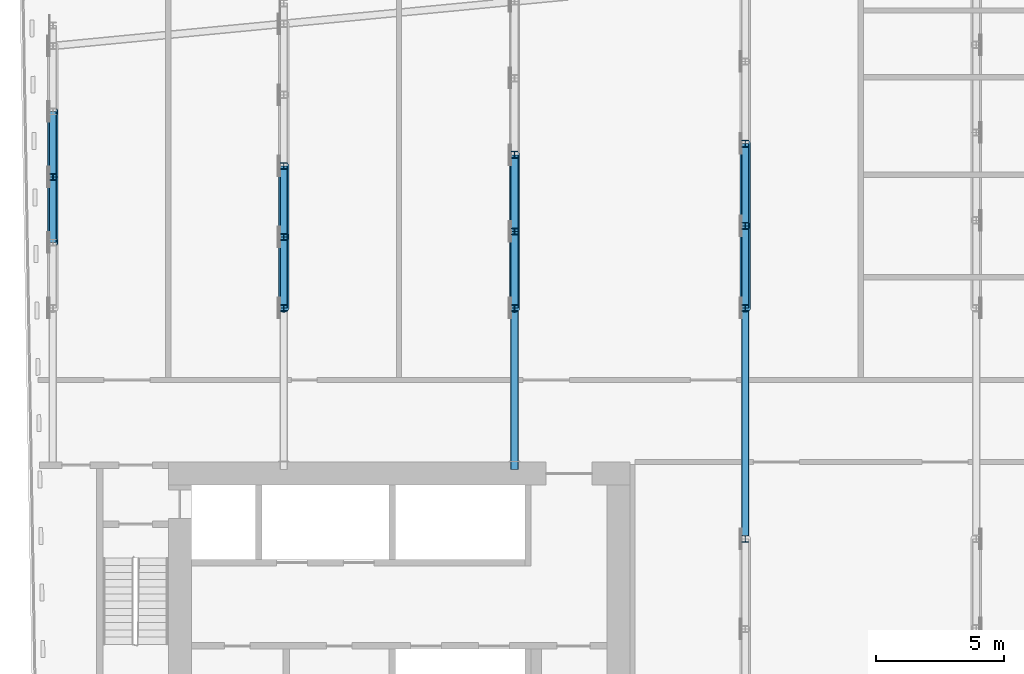
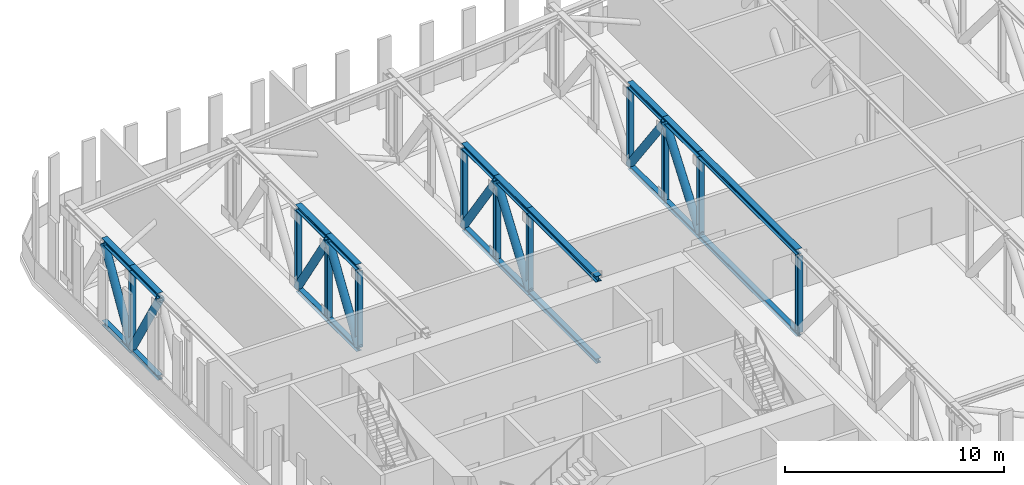
# One storey, part 2 of 26: 39 members.
"""IFC4 building model written with IfcOpenShell, lengths in metres."""

from ifc_helpers import new_model, si_unit, direction, frame, origin, origin_2d, place, context, subcontext, project, spatial, hollow_circle, i_section, extrude, material, material_profile, profile_set, type_object, element, save


model = new_model("IFC4")

# Units and contexts
model_context = context("Model", 3, precision=1e-05, world=origin(), true_north=direction((0.0, 1.0)))
body_context = subcontext(model_context, "Body", "Model", "MODEL_VIEW")
ifc_project = project(units=[si_unit("LENGTHUNIT", "METRE"), si_unit("AREAUNIT", "SQUARE_METRE"), si_unit("VOLUMEUNIT", "CUBIC_METRE"), si_unit("PLANEANGLEUNIT", "RADIAN"), si_unit("MASSUNIT", "GRAM", prefix="KILO")], contexts=[model_context])

# Site, building, storey
site_placement = place(None, origin())
site = spatial("IfcSite", under=ifc_project, at=site_placement, CompositionType="ELEMENT")
building_placement = place(site_placement, origin())
building = spatial("IfcBuilding", under=site, at=building_placement, Name="Kajstack Hotel Tower", CompositionType="ELEMENT")
storey_placement = place(building_placement, frame((0.0, 0.0, 257.300048828125)))
storey = spatial("IfcBuildingStorey", under=building, at=storey_placement, Name="L64", CompositionType="ELEMENT", Elevation=257.300048828125)

# Members
ifc_material = material(Name="Steel S355J2", Category="steel")
ifc_material_profile_1 = material_profile(ifc_material, i_section(OverallWidth=0.260009765625, OverallDepth=0.260009765625, WebThickness=0.010009765625, FlangeThickness=0.017578125, FilletRadius=0.02392578125, at=origin_2d()), Name="HEB 260")
ifc_profile_set_1 = profile_set([ifc_material_profile_1], Name="Steel S355J2")
member_type_1 = type_object("IfcMemberType", Name="Belt truss bottom chord BC5 HEB 260", PredefinedType="CHORD", material=ifc_profile_set_1)
member_1_placement = place(storey_placement, frame((-36.0, 7.0546875, -0.130126953125), z_axis=(0.0, 1.0, 0.0), x_axis=(-1.0, 0.0, 0.0)))
element("IfcMember", 1, at=member_1_placement, inside=storey, type_object=member_type_1, Name="S-belt-truss-L64--36p0-1-bc9", PredefinedType="CHORD", context=body_context, shape_type="SweptSolid", body=[
    extrude(i_section(OverallWidth=0.260009765625, OverallDepth=0.260009765625, WebThickness=0.010009765625, FlangeThickness=0.017578125, FilletRadius=0.02392578125, at=origin_2d()), origin(), (0.0, 0.0, 1.0), 2.554443359375),
])
member_2_placement = place(storey_placement, frame((-36.0, 9.609130859375, -0.130126953125), z_axis=(0.0, 1.0, 0.0), x_axis=(-1.0, 0.0, 0.0)))
element("IfcMember", 2, at=member_2_placement, inside=storey, type_object=member_type_1, Name="S-belt-truss-L64--36p0-1-bc10", PredefinedType="CHORD", context=body_context, shape_type="SweptSolid", body=[
    extrude(i_section(OverallWidth=0.260009765625, OverallDepth=0.260009765625, WebThickness=0.010009765625, FlangeThickness=0.017578125, FilletRadius=0.02392578125, at=origin_2d()), origin(), (0.0, 0.0, 1.0), 2.5546875),
])
for number, where, z_axis, x_axis, name in (
    (3, (-27.0, 4.5, -0.130126953125), (0.0, 1.0, 0.0), (-1.0, 0.0, 0.0), "S-outrigger-truss-L64--27p0-1-bc8"),
    (4, (-27.0, 7.271240234375, -0.130126953125), (0.0, 1.0, 0.0), (-1.0, 0.0, 0.0), "S-outrigger-truss-L64--27p0-1-bc9"),
):
    element("IfcMember", number, at=place(storey_placement, frame(where, z_axis=z_axis, x_axis=x_axis)), inside=storey, type_object=member_type_1, Name=name, PredefinedType="CHORD", context=body_context, shape_type="SweptSolid", body=[
        extrude(i_section(OverallWidth=0.260009765625, OverallDepth=0.260009765625, WebThickness=0.010009765625, FlangeThickness=0.017578125, FilletRadius=0.02392578125, at=origin_2d()), origin(), (0.0, 0.0, 1.0), 2.771240234375),
    ])
member_3_placement = place(storey_placement, frame((-18.0, -1.800048828125, -0.130126953125), z_axis=(0.0, 1.0, 0.0), x_axis=(-1.0, 0.0, 0.0)))
element("IfcMember", 5, at=member_3_placement, inside=storey, type_object=member_type_1, Name="S-outrigger-truss-L64--18p0-1-bc7", PredefinedType="CHORD", context=body_context, shape_type="SweptSolid", body=[
    extrude(i_section(OverallWidth=0.260009765625, OverallDepth=0.260009765625, WebThickness=0.010009765625, FlangeThickness=0.017578125, FilletRadius=0.02392578125, at=origin_2d()), origin(), (0.0, 0.0, 1.0), 6.300048828125),
])
member_4_placement = place(storey_placement, frame((-18.0, 4.5, -0.130126953125), z_axis=(0.0, 1.0, 0.0), x_axis=(-1.0, 0.0, 0.0)))
element("IfcMember", 6, at=member_4_placement, inside=storey, type_object=member_type_1, Name="S-outrigger-truss-L64--18p0-1-bc8", PredefinedType="CHORD", context=body_context, shape_type="SweptSolid", body=[
    extrude(i_section(OverallWidth=0.260009765625, OverallDepth=0.260009765625, WebThickness=0.010009765625, FlangeThickness=0.017578125, FilletRadius=0.02392578125, at=origin_2d()), origin(), (0.0, 0.0, 1.0), 2.98779296875),
])
member_5_placement = place(storey_placement, frame((-18.0, 7.48779296875, -0.130126953125), z_axis=(0.0, 1.0, 0.0), x_axis=(-1.0, 0.0, 0.0)))
element("IfcMember", 7, at=member_5_placement, inside=storey, type_object=member_type_1, Name="S-outrigger-truss-L64--18p0-1-bc9", PredefinedType="CHORD", context=body_context, shape_type="SweptSolid", body=[
    extrude(i_section(OverallWidth=0.260009765625, OverallDepth=0.260009765625, WebThickness=0.010009765625, FlangeThickness=0.017578125, FilletRadius=0.02392578125, at=origin_2d()), origin(), (0.0, 0.0, 1.0), 2.988037109375),
])
member_6_placement = place(storey_placement, frame((-9.0, -4.5, -0.130126953125), z_axis=(0.0, 1.0, 0.0), x_axis=(-1.0, 0.0, 0.0)))
element("IfcMember", 8, at=member_6_placement, inside=storey, type_object=member_type_1, Name="S-belt-truss-L64--9p0-1-bc18", PredefinedType="CHORD", context=body_context, shape_type="SweptSolid", body=[
    extrude(i_section(OverallWidth=0.260009765625, OverallDepth=0.260009765625, WebThickness=0.010009765625, FlangeThickness=0.017578125, FilletRadius=0.02392578125, at=origin_2d()), origin(), (0.0, 0.0, 1.0), 9.0),
])
for number, where, z_axis, x_axis, name in (
    (9, (-9.0, 4.5, -0.130126953125), (0.0, 1.0, 0.0), (-1.0, 0.0, 0.0), "S-belt-truss-L64--9p0-1-bc19"),
    (10, (-9.0, 7.70458984375, -0.130126953125), (0.0, 1.0, 0.0), (-1.0, 0.0, 0.0), "S-belt-truss-L64--9p0-1-bc20"),
):
    element("IfcMember", number, at=place(storey_placement, frame(where, z_axis=z_axis, x_axis=x_axis)), inside=storey, type_object=member_type_1, Name=name, PredefinedType="CHORD", context=body_context, shape_type="SweptSolid", body=[
        extrude(i_section(OverallWidth=0.260009765625, OverallDepth=0.260009765625, WebThickness=0.010009765625, FlangeThickness=0.017578125, FilletRadius=0.02392578125, at=origin_2d()), origin(), (0.0, 0.0, 1.0), 3.20458984375),
    ])
ifc_material_profile_2 = material_profile(ifc_material, hollow_circle(Radius=0.203125, WallThickness=0.01611328125, at=origin_2d()), Name="CHS 406.4x16")
ifc_profile_set_2 = profile_set([ifc_material_profile_2], Name="Steel S355J2")
member_type_2 = type_object("IfcMemberType", Name="Belt truss diagonal DG5 CHS 406.4x16", PredefinedType="BRACE", material=ifc_profile_set_2)
for number, where, z_axis, x_axis, name in (
    (11, (-36.0, 9.609130859375, 0.0), (0.0, -0.512491879639, 0.858692071294), (1.0, 0.0, 0.0), "S-belt-truss-L64--36p0-1-dg20"),
    (12, (-36.0, 9.609130859375, 0.0), (0.0, 0.51252799478, 0.85867051572), (-1.0, 0.0, 0.0), "S-belt-truss-L64--36p0-1-dg21"),
):
    element("IfcMember", number, at=place(storey_placement, frame(where, z_axis=z_axis, x_axis=x_axis)), inside=storey, type_object=member_type_2, Name=name, PredefinedType="BRACE", context=body_context, shape_type="SweptSolid", body=[
        extrude(hollow_circle(Radius=0.203125, WallThickness=0.01611328125, at=origin_2d()), origin(), (0.0, 0.0, 1.0), 4.984375),
    ])
for number, where, z_axis, x_axis, name in (
    (13, (-27.0, 4.5, 0.0), (0.0, 0.543501404994, 0.839408257506), (-1.0, 0.0, 0.0), "S-outrigger-truss-L64--27p0-1-dg19"),
    (14, (-27.0, 10.04248046875, 0.0), (0.0, -0.543501404994, 0.839408257506), (1.0, 0.0, 0.0), "S-outrigger-truss-L64--27p0-1-dg20"),
):
    element("IfcMember", number, at=place(storey_placement, frame(where, z_axis=z_axis, x_axis=x_axis)), inside=storey, type_object=member_type_2, Name=name, PredefinedType="BRACE", context=body_context, shape_type="SweptSolid", body=[
        extrude(hollow_circle(Radius=0.203125, WallThickness=0.01611328125, at=origin_2d()), origin(), (0.0, 0.0, 1.0), 5.098876953125),
    ])
member_7_placement = place(storey_placement, frame((-18.0, 4.5, 0.0), z_axis=(0.0, 0.572403987642, 0.819971752521), x_axis=(-1.0, 0.0, 0.0)))
element("IfcMember", 15, at=member_7_placement, inside=storey, type_object=member_type_2, Name="S-outrigger-truss-L64--18p0-1-dg19", PredefinedType="BRACE", context=body_context, shape_type="SweptSolid", body=[
    extrude(hollow_circle(Radius=0.203125, WallThickness=0.01611328125, at=origin_2d()), origin(), (0.0, 0.0, 1.0), 5.2197265625),
])
member_8_placement = place(storey_placement, frame((-18.0, 10.475830078125, 0.0), z_axis=(0.0, -0.572435434158, 0.819949799512), x_axis=(1.0, 0.0, 0.0)))
element("IfcMember", 16, at=member_8_placement, inside=storey, type_object=member_type_2, Name="S-outrigger-truss-L64--18p0-1-dg20", PredefinedType="BRACE", context=body_context, shape_type="SweptSolid", body=[
    extrude(hollow_circle(Radius=0.203125, WallThickness=0.01611328125, at=origin_2d()), origin(), (0.0, 0.0, 1.0), 5.219970703125),
])
for number, where, z_axis, x_axis, name in (
    (17, (-9.0, 4.5, 0.0), (0.0, 0.599349585602, 0.800487397926), (-1.0, 0.0, 0.0), "S-belt-truss-L64--9p0-1-dg40"),
    (18, (-9.0, 10.9091796875, 0.0), (0.0, -0.599349585602, 0.800487397926), (1.0, 0.0, 0.0), "S-belt-truss-L64--9p0-1-dg41"),
):
    element("IfcMember", number, at=place(storey_placement, frame(where, z_axis=z_axis, x_axis=x_axis)), inside=storey, type_object=member_type_2, Name=name, PredefinedType="BRACE", context=body_context, shape_type="SweptSolid", body=[
        extrude(hollow_circle(Radius=0.203125, WallThickness=0.01611328125, at=origin_2d()), origin(), (0.0, 0.0, 1.0), 5.3466796875),
    ])
ifc_material_profile_3 = material_profile(ifc_material, i_section(OverallWidth=0.260009765625, OverallDepth=0.260009765625, WebThickness=0.010009765625, FlangeThickness=0.017578125, FilletRadius=0.02392578125, at=origin_2d()), Name="HEB 260")
ifc_profile_set_3 = profile_set([ifc_material_profile_3], Name="Steel S355J2")
member_type_3 = type_object("IfcMemberType", Name="Belt truss post PO5 HEB 260", PredefinedType="POST", material=ifc_profile_set_3)
for number, where, z_axis, x_axis, name in (
    (19, (-36.0, 9.609130859375, 0.0), (0.0, 0.0, 1.0), (1.0, 0.0, 0.0), "S-belt-truss-L64--36p0-1-po15"),
    (20, (-27.0, 4.5, 0.0), (0.0, 0.0, 1.0), (1.0, 0.0, 0.0), "S-outrigger-truss-L64--27p0-1-po13"),
    (21, (-27.0, 7.271240234375, 0.0), (0.0, 0.0, 1.0), (1.0, 0.0, 0.0), "S-outrigger-truss-L64--27p0-1-po14"),
    (22, (-27.0, 10.04248046875, 0.0), (0.0, 0.0, 1.0), (1.0, 0.0, 0.0), "S-outrigger-truss-L64--27p0-1-po15"),
    (23, (-18.0, 4.5, 0.0), (0.0, 0.0, 1.0), (1.0, 0.0, 0.0), "S-outrigger-truss-L64--18p0-1-po13"),
    (24, (-18.0, 7.48779296875, 0.0), (0.0, 0.0, 1.0), (1.0, 0.0, 0.0), "S-outrigger-truss-L64--18p0-1-po14"),
    (25, (-18.0, 10.475830078125, 0.0), (0.0, 0.0, 1.0), (1.0, 0.0, 0.0), "S-outrigger-truss-L64--18p0-1-po15"),
    (26, (-9.0, -4.5, 0.0), (0.0, 0.0, 1.0), (1.0, 0.0, 0.0), "S-belt-truss-L64--9p0-1-po29"),
    (27, (-9.0, 4.5, 0.0), (0.0, 0.0, 1.0), (1.0, 0.0, 0.0), "S-belt-truss-L64--9p0-1-po30"),
    (28, (-9.0, 7.70458984375, 0.0), (0.0, 0.0, 1.0), (1.0, 0.0, 0.0), "S-belt-truss-L64--9p0-1-po31"),
    (29, (-9.0, 10.9091796875, 0.0), (0.0, 0.0, 1.0), (1.0, 0.0, 0.0), "S-belt-truss-L64--9p0-1-po32"),
):
    element("IfcMember", number, at=place(storey_placement, frame(where, z_axis=z_axis, x_axis=x_axis)), inside=storey, type_object=member_type_3, Name=name, PredefinedType="POST", context=body_context, shape_type="SweptSolid", body=[
        extrude(i_section(OverallWidth=0.260009765625, OverallDepth=0.260009765625, WebThickness=0.010009765625, FlangeThickness=0.017578125, FilletRadius=0.02392578125, at=origin_2d()), origin(), (0.0, 0.0, 1.0), 4.280029296875),
    ])
ifc_material_profile_4 = material_profile(ifc_material, i_section(OverallWidth=0.300048828125, OverallDepth=0.320068359375, WebThickness=0.011474609375, FlangeThickness=0.0205078125, FilletRadius=0.027099609375, at=origin_2d()), Name="HEB 320")
ifc_profile_set_4 = profile_set([ifc_material_profile_4], Name="Steel S355J2")
member_type_4 = type_object("IfcMemberType", Name="Belt truss top chord TC5 HEB 320", PredefinedType="CHORD", material=ifc_profile_set_4)
member_9_placement = place(storey_placement, frame((-36.0, 7.0546875, 4.43994140625), z_axis=(0.0, 1.0, 0.0), x_axis=(-1.0, 0.0, 0.0)))
element("IfcMember", 30, at=member_9_placement, inside=storey, type_object=member_type_4, Name="S-belt-truss-L64--36p0-1-tc3", PredefinedType="CHORD", context=body_context, shape_type="SweptSolid", body=[
    extrude(i_section(OverallWidth=0.300048828125, OverallDepth=0.320068359375, WebThickness=0.011474609375, FlangeThickness=0.0205078125, FilletRadius=0.027099609375, at=origin_2d()), origin(), (0.0, 0.0, 1.0), 2.554443359375),
])
member_10_placement = place(storey_placement, frame((-36.0, 9.609130859375, 4.43994140625), z_axis=(0.0, 1.0, 0.0), x_axis=(-1.0, 0.0, 0.0)))
element("IfcMember", 31, at=member_10_placement, inside=storey, type_object=member_type_4, Name="S-belt-truss-L64--36p0-1-tc4", PredefinedType="CHORD", context=body_context, shape_type="SweptSolid", body=[
    extrude(i_section(OverallWidth=0.300048828125, OverallDepth=0.320068359375, WebThickness=0.011474609375, FlangeThickness=0.0205078125, FilletRadius=0.027099609375, at=origin_2d()), origin(), (0.0, 0.0, 1.0), 2.5546875),
])
for number, where, z_axis, x_axis, name in (
    (32, (-27.0, 4.5, 4.43994140625), (0.0, 1.0, 0.0), (-1.0, 0.0, 0.0), "S-outrigger-truss-L64--27p0-1-tc2"),
    (33, (-27.0, 7.271240234375, 4.43994140625), (0.0, 1.0, 0.0), (-1.0, 0.0, 0.0), "S-outrigger-truss-L64--27p0-1-tc3"),
):
    element("IfcMember", number, at=place(storey_placement, frame(where, z_axis=z_axis, x_axis=x_axis)), inside=storey, type_object=member_type_4, Name=name, PredefinedType="CHORD", context=body_context, shape_type="SweptSolid", body=[
        extrude(i_section(OverallWidth=0.300048828125, OverallDepth=0.320068359375, WebThickness=0.011474609375, FlangeThickness=0.0205078125, FilletRadius=0.027099609375, at=origin_2d()), origin(), (0.0, 0.0, 1.0), 2.771240234375),
    ])
member_11_placement = place(storey_placement, frame((-18.0, -1.800048828125, 4.43994140625), z_axis=(0.0, 1.0, 0.0), x_axis=(-1.0, 0.0, 0.0)))
element("IfcMember", 34, at=member_11_placement, inside=storey, type_object=member_type_4, Name="S-outrigger-truss-L64--18p0-1-tc1", PredefinedType="CHORD", context=body_context, shape_type="SweptSolid", body=[
    extrude(i_section(OverallWidth=0.300048828125, OverallDepth=0.320068359375, WebThickness=0.011474609375, FlangeThickness=0.0205078125, FilletRadius=0.027099609375, at=origin_2d()), origin(), (0.0, 0.0, 1.0), 6.300048828125),
])
member_12_placement = place(storey_placement, frame((-18.0, 4.5, 4.43994140625), z_axis=(0.0, 1.0, 0.0), x_axis=(-1.0, 0.0, 0.0)))
element("IfcMember", 35, at=member_12_placement, inside=storey, type_object=member_type_4, Name="S-outrigger-truss-L64--18p0-1-tc2", PredefinedType="CHORD", context=body_context, shape_type="SweptSolid", body=[
    extrude(i_section(OverallWidth=0.300048828125, OverallDepth=0.320068359375, WebThickness=0.011474609375, FlangeThickness=0.0205078125, FilletRadius=0.027099609375, at=origin_2d()), origin(), (0.0, 0.0, 1.0), 2.98779296875),
])
member_13_placement = place(storey_placement, frame((-18.0, 7.48779296875, 4.43994140625), z_axis=(0.0, 1.0, 0.0), x_axis=(-1.0, 0.0, 0.0)))
element("IfcMember", 36, at=member_13_placement, inside=storey, type_object=member_type_4, Name="S-outrigger-truss-L64--18p0-1-tc3", PredefinedType="CHORD", context=body_context, shape_type="SweptSolid", body=[
    extrude(i_section(OverallWidth=0.300048828125, OverallDepth=0.320068359375, WebThickness=0.011474609375, FlangeThickness=0.0205078125, FilletRadius=0.027099609375, at=origin_2d()), origin(), (0.0, 0.0, 1.0), 2.988037109375),
])
member_14_placement = place(storey_placement, frame((-9.0, -4.5, 4.43994140625), z_axis=(0.0, 1.0, 0.0), x_axis=(-1.0, 0.0, 0.0)))
element("IfcMember", 37, at=member_14_placement, inside=storey, type_object=member_type_4, Name="S-belt-truss-L64--9p0-1-tc7", PredefinedType="CHORD", context=body_context, shape_type="SweptSolid", body=[
    extrude(i_section(OverallWidth=0.300048828125, OverallDepth=0.320068359375, WebThickness=0.011474609375, FlangeThickness=0.0205078125, FilletRadius=0.027099609375, at=origin_2d()), origin(), (0.0, 0.0, 1.0), 9.0),
])
for number, where, z_axis, x_axis, name in (
    (38, (-9.0, 4.5, 4.43994140625), (0.0, 1.0, 0.0), (-1.0, 0.0, 0.0), "S-belt-truss-L64--9p0-1-tc8"),
    (39, (-9.0, 7.70458984375, 4.43994140625), (0.0, 1.0, 0.0), (-1.0, 0.0, 0.0), "S-belt-truss-L64--9p0-1-tc9"),
):
    element("IfcMember", number, at=place(storey_placement, frame(where, z_axis=z_axis, x_axis=x_axis)), inside=storey, type_object=member_type_4, Name=name, PredefinedType="CHORD", context=body_context, shape_type="SweptSolid", body=[
        extrude(i_section(OverallWidth=0.300048828125, OverallDepth=0.320068359375, WebThickness=0.011474609375, FlangeThickness=0.0205078125, FilletRadius=0.027099609375, at=origin_2d()), origin(), (0.0, 0.0, 1.0), 3.20458984375),
    ])

save(model, "model.ifc")
